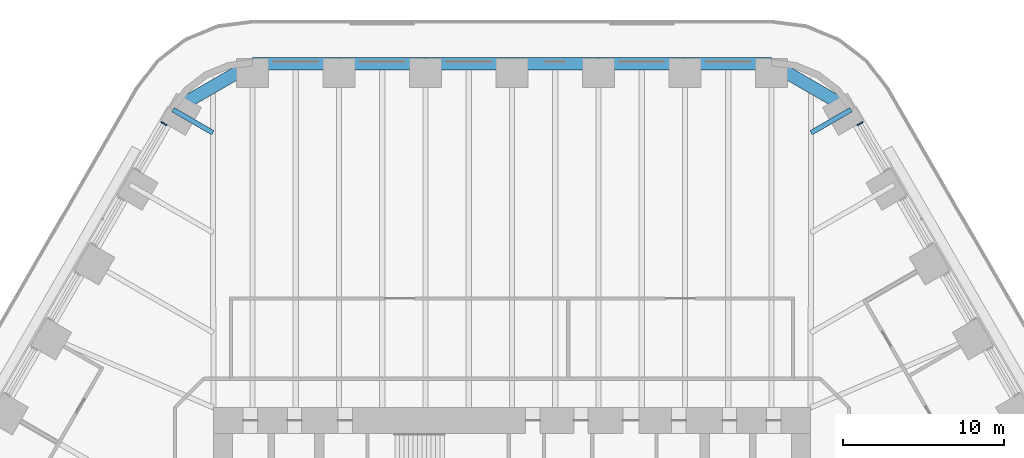
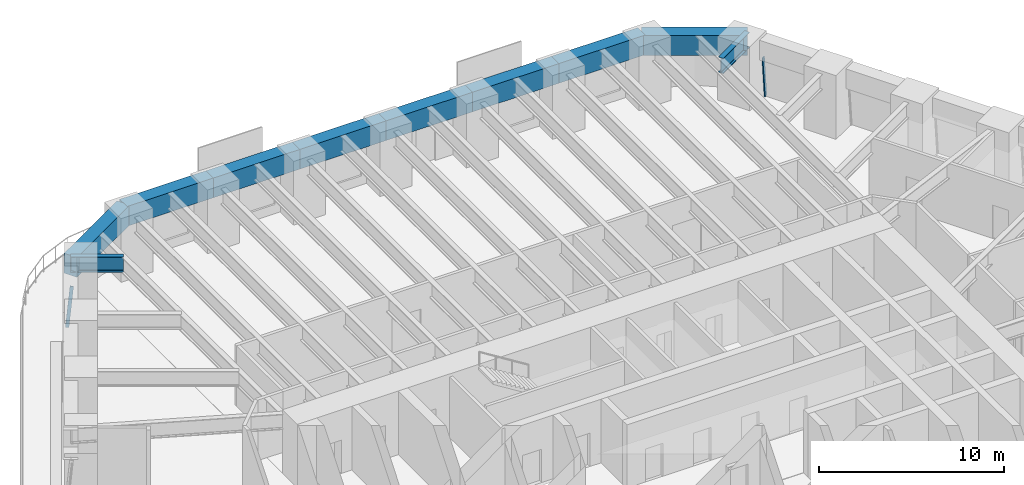
# One storey, part 14 of 23: 10 beams, 2 members, 2 elements without a shape of their own.
"""IFC4 building model written with IfcOpenShell, lengths in metres."""

from ifc_helpers import new_model, si_unit, direction, frame, origin, origin_2d, place, context, subcontext, project, spatial, rectangle, i_section, extrude, material, material_profile, profile_set, type_object, element, aggregate, save


model = new_model("IFC4")

# Units and contexts
model_context = context("Model", 3, precision=1e-05, world=origin(), true_north=direction((0.0, 1.0)))
body_context = subcontext(model_context, "Body", "Model", "MODEL_VIEW")
ifc_project = project(units=[si_unit("LENGTHUNIT", "METRE"), si_unit("AREAUNIT", "SQUARE_METRE"), si_unit("VOLUMEUNIT", "CUBIC_METRE"), si_unit("PLANEANGLEUNIT", "RADIAN"), si_unit("MASSUNIT", "GRAM", prefix="KILO")], contexts=[model_context])

# Site, building, storey
site_placement = place(None, origin())
site = spatial("IfcSite", under=ifc_project, at=site_placement, CompositionType="ELEMENT")
building_placement = place(site_placement, origin())
building = spatial("IfcBuilding", under=site, at=building_placement, Name="Tarfa Lantern Tower", CompositionType="ELEMENT")
storey_placement = place(building_placement, frame((0.0, 0.0, 48.699951171875)))
storey = spatial("IfcBuildingStorey", under=building, at=storey_placement, Name="L10", CompositionType="ELEMENT", Elevation=48.699951171875)

# Curtain wall, member
ifc_material_1 = material(Name="Aluminium framed curtain wall", Category="aluminium")
curtain_wall_type = type_object("IfcCurtainWallType", Name="CW1 CANTED GLAZING LOW ZONE 2700", PredefinedType="USERDEFINED", material=ifc_material_1)
curtain_wall_1_placement = place(storey_placement, origin())
curtain_wall_1 = element("IfcCurtainWall", 1, at=curtain_wall_1_placement, inside=storey, type_object=curtain_wall_type, Name="CW1 NE L10", ObjectType="CURTAIN WALL", PredefinedType="USERDEFINED")
ifc_material_2 = material(Name="Aluminium mullion", Category="aluminium")
ifc_material_profile_1 = material_profile(ifc_material_2, rectangle(XDim=0.06494140625, YDim=0.199951171875, at=origin_2d()), Name="AL MULLION 65x200")
ifc_profile_set_1 = profile_set([ifc_material_profile_1], Name="Aluminium mullion")
member_type = type_object("IfcMemberType", Name="CWM1 MULLION 65x200", PredefinedType="MULLION", material=ifc_profile_set_1)
member_1_placement = place(storey_placement, frame((21.79150390625, 30.055908203125, 0.0), z_axis=(-0.079774955866, -0.04610020023, 0.995746317068), x_axis=(0.500342721131, -0.865827443207, 0.0)))
member_1 = element("IfcMember", 2, at=member_1_placement, type_object=member_type, Name="CW1 mullion 2", PredefinedType="MULLION", context=body_context, shape_type="SweptSolid", body=[
    extrude(rectangle(XDim=0.06494140625, YDim=0.199951171875, at=origin_2d()), origin(), (0.0, 0.0, 1.0), 2.71142578125),
])
aggregate(curtain_wall_1, [member_1])

curtain_wall_2_placement = place(storey_placement, origin())
curtain_wall_2 = element("IfcCurtainWall", 3, at=curtain_wall_2_placement, inside=storey, type_object=curtain_wall_type, Name="CW1 NW L10", ObjectType="CURTAIN WALL", PredefinedType="USERDEFINED")
member_2_placement = place(storey_placement, frame((-21.79150390625, 30.055908203125, 0.0), z_axis=(0.079774955866, -0.04610020023, 0.995746317068), x_axis=(0.500342721131, 0.865827443207, 0.0)))
member_2 = element("IfcMember", 4, at=member_2_placement, type_object=member_type, Name="CW1 mullion 1", PredefinedType="MULLION", context=body_context, shape_type="SweptSolid", body=[
    extrude(rectangle(XDim=0.06494140625, YDim=0.199951171875, at=origin_2d()), origin(), (0.0, 0.0, 1.0), 2.71142578125),
])
aggregate(curtain_wall_2, [member_2])

# Beams
ifc_material_3 = material(Name="Concrete C80/95", Category="concrete")
ifc_material_profile_2 = material_profile(ifc_material_3, rectangle(XDim=0.800048828125, YDim=1.300048828125, at=origin_2d()), Name="RC 800x1300")
ifc_profile_set_2 = profile_set([ifc_material_profile_2], Name="Concrete C80/95")
beam_type_1 = type_object("IfcBeamType", Name="EB1 RC 800x1300", PredefinedType="SPANDREL", material=ifc_profile_set_2)
beam_1_placement = place(storey_placement, frame((21.119384765625, 30.860107421875, 3.35009765625), z_axis=(-0.866033479681, 0.499986011877, 0.0), x_axis=(-0.499986011877, -0.866033479681, 0.0)))
element("IfcBeam", 5, at=beam_1_placement, inside=storey, type_object=beam_type_1, Name="Edge beam NE6", PredefinedType="SPANDREL", context=body_context, shape_type="SweptSolid", body=[
    extrude(rectangle(XDim=0.800048828125, YDim=1.300048828125, at=origin_2d()), origin(), (0.0, 0.0, 1.0), 5.719970703125),
])
beam_2_placement = place(storey_placement, frame((16.165771484375, 33.719970703125, 3.35009765625), z_axis=(-1.0, 0.0, 0.0), x_axis=(0.0, -1.0, 0.0)))
element("IfcBeam", 6, at=beam_2_placement, inside=storey, type_object=beam_type_1, Name="Edge beam N0", PredefinedType="SPANDREL", context=body_context, shape_type="SweptSolid", body=[
    extrude(rectangle(XDim=0.800048828125, YDim=1.300048828125, at=origin_2d()), origin(), (0.0, 0.0, 1.0), 5.388671875),
])
beam_3_placement = place(storey_placement, frame((10.777099609375, 33.719970703125, 3.35009765625), z_axis=(-1.0, 0.0, 0.0), x_axis=(0.0, -1.0, 0.0)))
element("IfcBeam", 7, at=beam_3_placement, inside=storey, type_object=beam_type_1, Name="Edge beam N1", PredefinedType="SPANDREL", context=body_context, shape_type="SweptSolid", body=[
    extrude(rectangle(XDim=0.800048828125, YDim=1.300048828125, at=origin_2d()), origin(), (0.0, 0.0, 1.0), 5.388427734375),
])
for number, where, z_axis, x_axis, name in (
    (8, (5.388671875, 33.719970703125, 3.35009765625), (-1.0, 0.0, 0.0), (0.0, -1.0, 0.0), "Edge beam N2"),
    (9, (0.0, 33.719970703125, 3.35009765625), (-1.0, 0.0, 0.0), (0.0, -1.0, 0.0), "Edge beam N3"),
):
    element("IfcBeam", number, at=place(storey_placement, frame(where, z_axis=z_axis, x_axis=x_axis)), inside=storey, type_object=beam_type_1, Name=name, PredefinedType="SPANDREL", context=body_context, shape_type="SweptSolid", body=[
        extrude(rectangle(XDim=0.800048828125, YDim=1.300048828125, at=origin_2d()), origin(), (0.0, 0.0, 1.0), 5.388671875),
    ])
beam_4_placement = place(storey_placement, frame((-5.388671875, 33.719970703125, 3.35009765625), z_axis=(-1.0, 0.0, 0.0), x_axis=(0.0, -1.0, 0.0)))
element("IfcBeam", 10, at=beam_4_placement, inside=storey, type_object=beam_type_1, Name="Edge beam N4", PredefinedType="SPANDREL", context=body_context, shape_type="SweptSolid", body=[
    extrude(rectangle(XDim=0.800048828125, YDim=1.300048828125, at=origin_2d()), origin(), (0.0, 0.0, 1.0), 5.388427734375),
])
beam_5_placement = place(storey_placement, frame((-10.777099609375, 33.719970703125, 3.35009765625), z_axis=(-1.0, 0.0, 0.0), x_axis=(0.0, -1.0, 0.0)))
element("IfcBeam", 11, at=beam_5_placement, inside=storey, type_object=beam_type_1, Name="Edge beam N5", PredefinedType="SPANDREL", context=body_context, shape_type="SweptSolid", body=[
    extrude(rectangle(XDim=0.800048828125, YDim=1.300048828125, at=origin_2d()), origin(), (0.0, 0.0, 1.0), 5.388671875),
])
beam_6_placement = place(storey_placement, frame((-16.165771484375, 33.719970703125, 3.35009765625), z_axis=(-0.866033479681, -0.499986011877, 0.0), x_axis=(0.499986011877, -0.866033479681, 0.0)))
element("IfcBeam", 12, at=beam_6_placement, inside=storey, type_object=beam_type_1, Name="Edge beam N6", PredefinedType="SPANDREL", context=body_context, shape_type="SweptSolid", body=[
    extrude(rectangle(XDim=0.800048828125, YDim=1.300048828125, at=origin_2d()), origin(), (0.0, 0.0, 1.0), 5.719970703125),
])
ifc_material_4 = material(Name="Steel S460M", Category="steel")
ifc_material_profile_3 = material_profile(ifc_material_4, i_section(OverallWidth=0.302001953125, OverallDepth=1.008056640625, WebThickness=0.02099609375, FlangeThickness=0.0400390625, FilletRadius=0.030029296875, at=origin_2d()), Name="UB1016x305x349")
ifc_profile_set_3 = profile_set([ifc_material_profile_3], Name="Steel S460M")
beam_type_2 = type_object("IfcBeamType", Name="UB1016x305x349", PredefinedType="BEAM", material=ifc_profile_set_3)
for number, where, z_axis, x_axis, name in (
    (13, (21.119384765625, 30.860107421875, 3.49609375), (-0.866012580594, -0.500022209759, 0.0), (0.500022209759, -0.866012580594, 0.0), "Floor beam NE6"),
    (14, (-21.119384765625, 30.860107421875, 3.49609375), (0.866012580594, -0.500022209759, 0.0), (0.500022209759, 0.866012580594, 0.0), "Floor beam NW0"),
):
    element("IfcBeam", number, at=place(storey_placement, frame(where, z_axis=z_axis, x_axis=x_axis)), inside=storey, type_object=beam_type_2, Name=name, PredefinedType="BEAM", context=body_context, shape_type="SweptSolid", body=[
        extrude(i_section(OverallWidth=0.302001953125, OverallDepth=1.008056640625, WebThickness=0.02099609375, FlangeThickness=0.0400390625, FilletRadius=0.030029296875, at=origin_2d()), origin(), (0.0, 0.0, 1.0), 2.866943359375),
    ])

save(model, "model.ifc")
